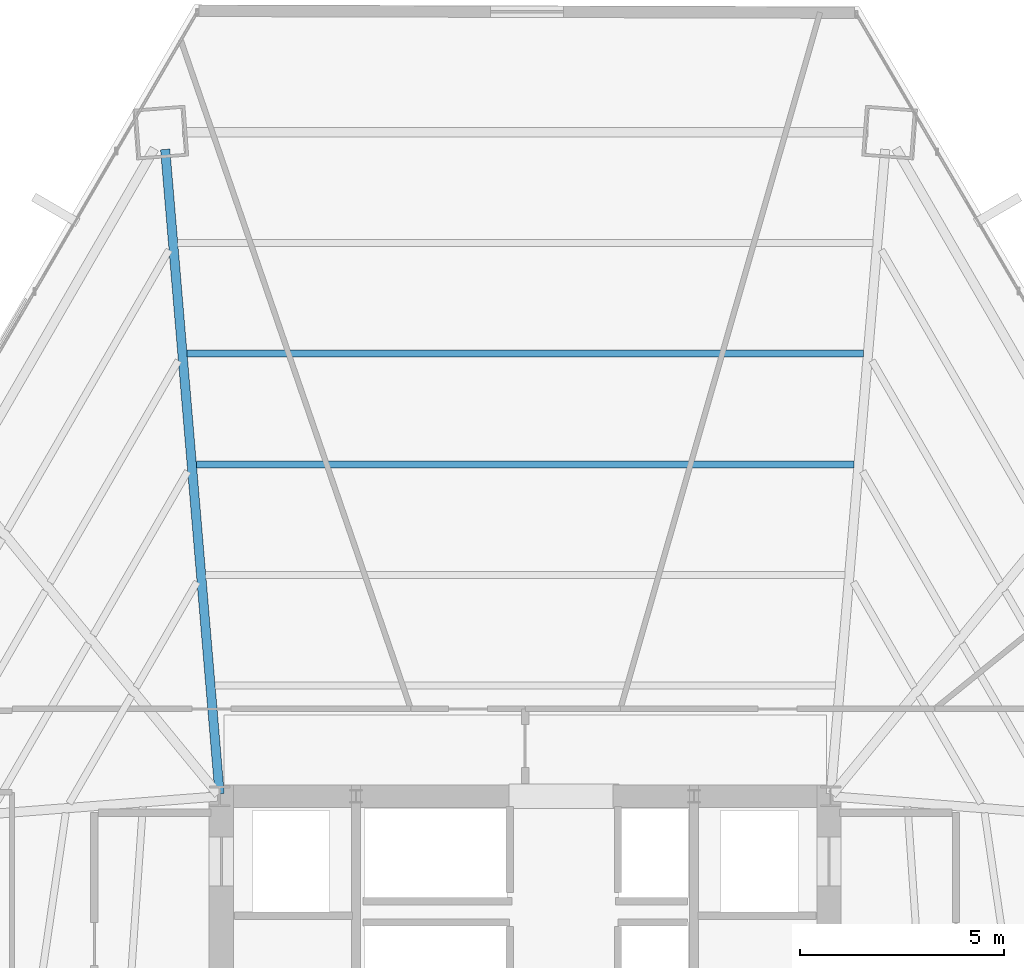
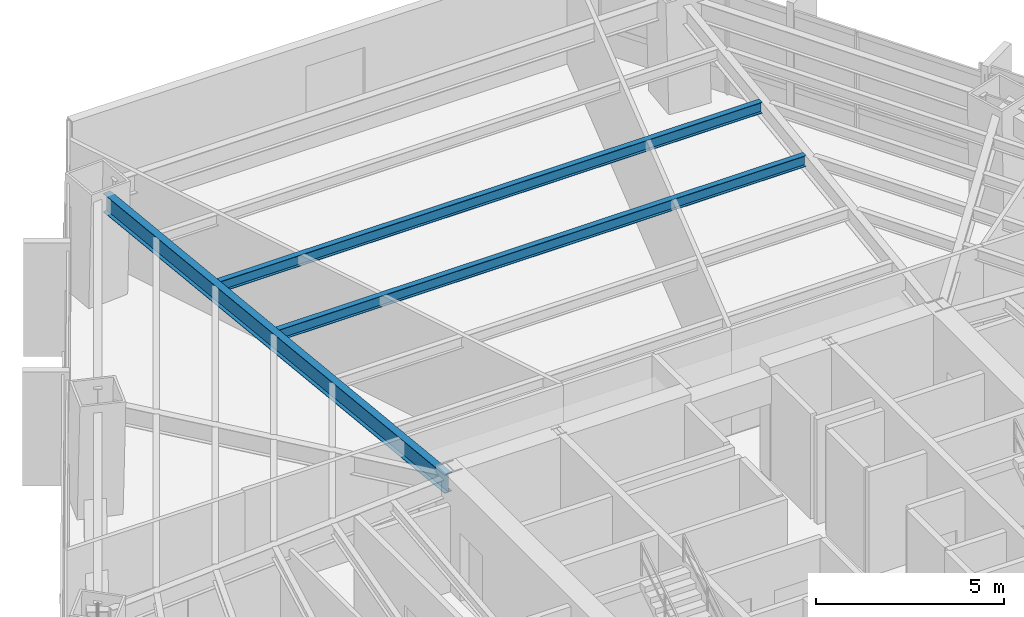
# One storey, part 23 of 33: 3 beams.
"""IFC4 building model written with IfcOpenShell, lengths in metres."""

from ifc_helpers import new_model, si_unit, direction, frame, origin, origin_2d, place, context, subcontext, project, spatial, i_section, extrude, source, transform, mapped, material, material_profile, profile_set, type_object, type_shapes, element, save


model = new_model("IFC4")

# Units and contexts
model_context = context("Model", 3, precision=1e-05, world=origin(), true_north=direction((0.0, 1.0)))
body_context = subcontext(model_context, "Body", "Model", "MODEL_VIEW")
ifc_project = project(units=[si_unit("LENGTHUNIT", "METRE"), si_unit("AREAUNIT", "SQUARE_METRE"), si_unit("VOLUMEUNIT", "CUBIC_METRE"), si_unit("PLANEANGLEUNIT", "RADIAN"), si_unit("MASSUNIT", "GRAM", prefix="KILO")], contexts=[model_context])

# Site, building, storey
site_placement = place(None, origin())
site = spatial("IfcSite", under=ifc_project, at=site_placement, CompositionType="ELEMENT")
building_placement = place(site_placement, origin())
building = spatial("IfcBuilding", under=site, at=building_placement, Name="Caelisora Broadcast Tower", CompositionType="ELEMENT")
storey_placement = place(building_placement, frame((0.0, 0.0, 42.199951171875)))
storey = spatial("IfcBuildingStorey", under=building, at=storey_placement, Name="L10", CompositionType="ELEMENT", Elevation=42.199951171875)

# Beams
ifc_material = material(Name="Steel Grade 350 (AS/NZS 3679.1)", Category="steel")
ifc_material_profile_1 = material_profile(ifc_material, i_section(OverallWidth=0.22802734375, OverallDepth=0.602294921875, WebThickness=0.010498046875, FlangeThickness=0.014892578125, at=origin_2d()), Name="Steel Grade 350 (AS/NZS 3679.1)")
ifc_profile_set_1 = profile_set([ifc_material_profile_1], Name="Steel Grade 350 (AS/NZS 3679.1)")
beam_type_1 = type_object("IfcBeamType", Name="PG04", PredefinedType="BEAM", material=ifc_profile_set_1)
shared_shape_1 = source(origin(), body_context, "Body", "SweptSolid", [
    extrude(i_section(OverallWidth=0.22802734375, OverallDepth=0.602294921875, WebThickness=0.010498046875, FlangeThickness=0.014892578125, at=origin_2d()), origin(), (0.0, 0.0, 1.0), 15.8818359375),
])
type_shapes(beam_type_1, [shared_shape_1])
beam_1_placement = place(storey_placement, frame((30.4951171875, 30.059814453125, 3.098876953125), z_axis=(-0.08408608133, 0.996458494332, 0.0), x_axis=(-0.996458494332, -0.08408608133, 0.0)))
element("IfcBeam", 1, at=beam_1_placement, inside=storey, type_object=beam_type_1, Name="L10 beam PG04", PredefinedType="BEAM", context=body_context, shape_type="MappedRepresentation", body=[
    mapped(shared_shape_1, transform((0.0, 0.0, 0.0), scale=1.0)),
])
ifc_material_profile_2 = material_profile(ifc_material, i_section(OverallWidth=0.172119140625, OverallDepth=0.358642578125, WebThickness=0.008056640625, FlangeThickness=0.012939453125, at=origin_2d()), Name="Steel Grade 350 (AS/NZS 3679.1)")
ifc_profile_set_2 = profile_set([ifc_material_profile_2], Name="Steel Grade 350 (AS/NZS 3679.1)")
beam_type_2 = type_object("IfcBeamType", Name="SB02", PredefinedType="JOIST", material=ifc_profile_set_2)
shared_shape_2 = source(origin(), body_context, "Body", "SweptSolid", [
    extrude(i_section(OverallWidth=0.172119140625, OverallDepth=0.358642578125, WebThickness=0.008056640625, FlangeThickness=0.012939453125, at=origin_2d()), origin(), (0.0, 0.0, 1.0), 16.15283203125),
])
beam_2_placement = place(storey_placement, frame((46.076416015625, 38.152099609375, 3.220703125), z_axis=(-1.0, 0.0, 0.0), x_axis=(0.0, -1.0, 0.0)))
element("IfcBeam", 2, at=beam_2_placement, inside=storey, type_object=beam_type_2, Name="L10 beam SB02", PredefinedType="JOIST", context=body_context, shape_type="MappedRepresentation", body=[
    mapped(shared_shape_2, transform((0.0, 0.0, 0.0), scale=1.0)),
])
shared_shape_3 = source(origin(), body_context, "Body", "SweptSolid", [
    extrude(i_section(OverallWidth=0.172119140625, OverallDepth=0.358642578125, WebThickness=0.008056640625, FlangeThickness=0.012939453125, at=origin_2d()), origin(), (0.0, 0.0, 1.0), 16.611328125),
])
type_shapes(beam_type_2, [shared_shape_2, shared_shape_3])
beam_3_placement = place(storey_placement, frame((46.3056640625, 40.869384765625, 3.220703125), z_axis=(-1.0, 0.0, 0.0), x_axis=(0.0, -1.0, 0.0)))
element("IfcBeam", 3, at=beam_3_placement, inside=storey, type_object=beam_type_2, Name="L10 beam SB02", PredefinedType="JOIST", context=body_context, shape_type="MappedRepresentation", body=[
    mapped(shared_shape_3, transform((0.0, 0.0, 0.0), scale=1.0)),
])

save(model, "model.ifc")
